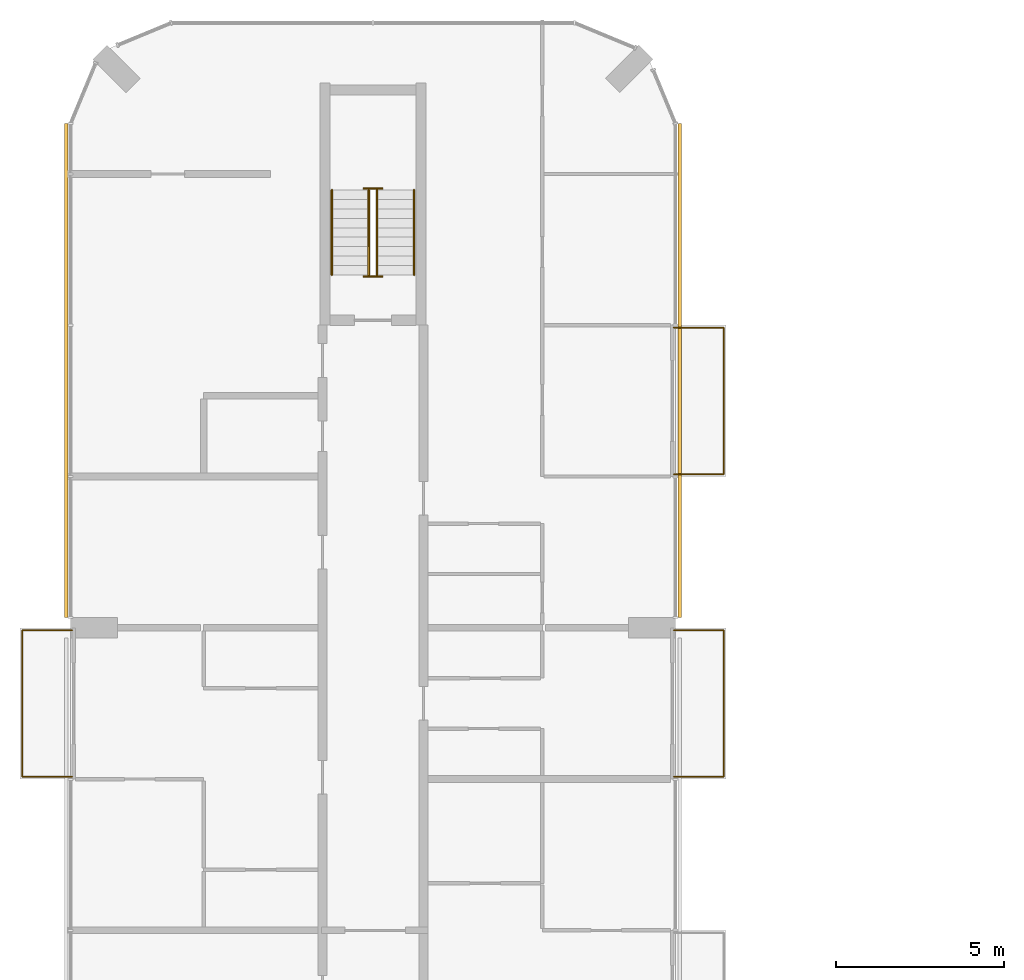
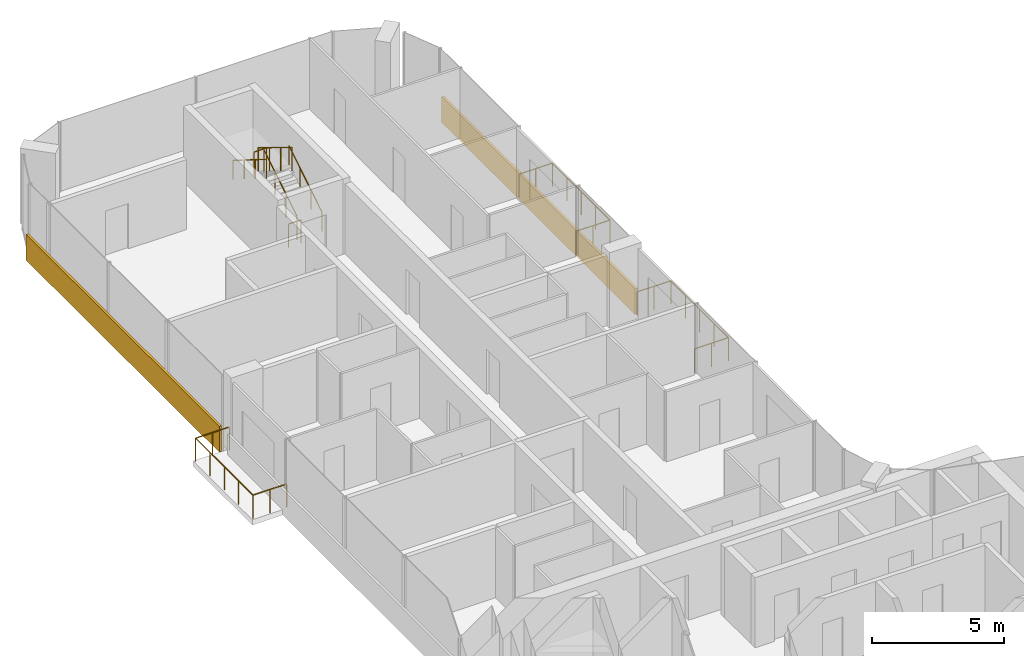
# One storey, part 15 of 15: 9 railings, 2 coverings.
"""IFC4 building model written with IfcOpenShell, lengths in metres."""

from ifc_helpers import new_model, si_unit, direction, frame, origin, origin_2d, place, context, subcontext, project, spatial, rectangle, circle, extrude, material, layer, layer_set, type_object, element, save


model = new_model("IFC4")

# Units and contexts
model_context = context("Model", 3, precision=1e-05, world=origin(), true_north=direction((0.0, 1.0)))
body_context = subcontext(model_context, "Body", "Model", "MODEL_VIEW")
ifc_project = project(units=[si_unit("LENGTHUNIT", "METRE"), si_unit("AREAUNIT", "SQUARE_METRE"), si_unit("VOLUMEUNIT", "CUBIC_METRE"), si_unit("PLANEANGLEUNIT", "RADIAN"), si_unit("MASSUNIT", "GRAM", prefix="KILO")], contexts=[model_context])

# Site, building, storey
site_placement = place(None, origin())
site = spatial("IfcSite", under=ifc_project, at=site_placement, CompositionType="ELEMENT")
building_placement = place(site_placement, origin())
building = spatial("IfcBuilding", under=site, at=building_placement, Name="Plateau Cross Towers", CompositionType="ELEMENT")
storey_placement = place(building_placement, frame((0.0, 0.0, 201.39990234375)))
storey = spatial("IfcBuildingStorey", under=building, at=storey_placement, Name="L52", CompositionType="ELEMENT", Elevation=201.39990234375)

# Railings
ifc_material_1 = material(Name="Stainless steel and toughened glass", Category="steel")
railing_type_1 = type_object("IfcRailingType", Name="Glass balustrade guard 1100", PredefinedType="GUARDRAIL", material=ifc_material_1)
railing_1_placement = place(storey_placement, frame((0.050048828125, 31.570068359375, 0.0)))
element("IfcRailing", 1, at=railing_1_placement, inside=storey, type_object=railing_type_1, Name="Guard guard1", PredefinedType="GUARDRAIL", context=body_context, shape_type="SweptSolid", body=[
    extrude(circle(Radius=0.02392578125, at=origin_2d()), frame((0.0, 0.0, 1.076171875), z_axis=(-1.0, 0.0, 0.0), x_axis=(0.0, -1.0, 0.0)), (0.0, 0.0, 1.0), 1.47998046875),
    extrude(circle(Radius=0.02392578125, at=origin_2d()), frame((-1.47998046875, 0.0, 1.076171875), z_axis=(0.0, 1.0, 0.0), x_axis=(-1.0, 0.0, 0.0)), (0.0, 0.0, 1.0), 4.35986328125),
    extrude(circle(Radius=0.02392578125, at=origin_2d()), frame((-1.47998046875, 4.35986328125, 1.076171875), z_axis=(1.0, 0.0, 0.0), x_axis=(0.0, 1.0, 0.0)), (0.0, 0.0, 1.0), 1.47998046875),
    extrude(circle(Radius=0.02099609375, at=origin_2d()), origin(), (0.0, 0.0, 1.0), 1.052001953125),
    extrude(circle(Radius=0.02099609375, at=origin_2d()), frame((-0.739990234375, 0.0, 0.0)), (0.0, 0.0, 1.0), 1.052001953125),
    extrude(circle(Radius=0.02099609375, at=origin_2d()), frame((-1.47998046875, 0.0, 0.0)), (0.0, 0.0, 1.0), 1.052001953125),
    extrude(circle(Radius=0.02099609375, at=origin_2d()), frame((-1.47998046875, 1.08984375, 0.0)), (0.0, 0.0, 1.0), 1.052001953125),
    extrude(circle(Radius=0.02099609375, at=origin_2d()), frame((-1.47998046875, 2.179931640625, 0.0)), (0.0, 0.0, 1.0), 1.052001953125),
    extrude(circle(Radius=0.02099609375, at=origin_2d()), frame((-1.47998046875, 3.27001953125, 0.0)), (0.0, 0.0, 1.0), 1.052001953125),
    extrude(circle(Radius=0.02099609375, at=origin_2d()), frame((-1.47998046875, 4.35986328125, 0.0)), (0.0, 0.0, 1.0), 1.052001953125),
    extrude(circle(Radius=0.02099609375, at=origin_2d()), frame((-0.739990234375, 4.35986328125, 0.0)), (0.0, 0.0, 1.0), 1.052001953125),
    extrude(circle(Radius=0.02099609375, at=origin_2d()), frame((0.0, 4.35986328125, 0.0)), (0.0, 0.0, 1.0), 1.052001953125),
])
for number, where, name in (
    (2, (17.949951171875, 35.929931640625, 0.0), "Guard guard1"),
    (3, (17.949951171875, 44.929931640625, 0.0), "Guard guard1"),
):
    element("IfcRailing", number, at=place(storey_placement, frame(where)), inside=storey, type_object=railing_type_1, Name=name, PredefinedType="GUARDRAIL", context=body_context, shape_type="SweptSolid", body=[
        extrude(circle(Radius=0.02392578125, at=origin_2d()), frame((0.0, 0.0, 1.076171875), z_axis=(1.0, 0.0, 0.0), x_axis=(0.0, 1.0, 0.0)), (0.0, 0.0, 1.0), 1.47998046875),
        extrude(circle(Radius=0.02392578125, at=origin_2d()), frame((1.47998046875, 0.0, 1.076171875), z_axis=(0.0, -1.0, 0.0), x_axis=(1.0, 0.0, 0.0)), (0.0, 0.0, 1.0), 4.35986328125),
        extrude(circle(Radius=0.02392578125, at=origin_2d()), frame((1.47998046875, -4.35986328125, 1.076171875), z_axis=(-1.0, 0.0, 0.0), x_axis=(0.0, -1.0, 0.0)), (0.0, 0.0, 1.0), 1.47998046875),
        extrude(circle(Radius=0.02099609375, at=origin_2d()), origin(), (0.0, 0.0, 1.0), 1.052001953125),
        extrude(circle(Radius=0.02099609375, at=origin_2d()), frame((0.739990234375, 0.0, 0.0)), (0.0, 0.0, 1.0), 1.052001953125),
        extrude(circle(Radius=0.02099609375, at=origin_2d()), frame((1.47998046875, 0.0, 0.0)), (0.0, 0.0, 1.0), 1.052001953125),
        extrude(circle(Radius=0.02099609375, at=origin_2d()), frame((1.47998046875, -1.08984375, 0.0)), (0.0, 0.0, 1.0), 1.052001953125),
        extrude(circle(Radius=0.02099609375, at=origin_2d()), frame((1.47998046875, -2.179931640625, 0.0)), (0.0, 0.0, 1.0), 1.052001953125),
        extrude(circle(Radius=0.02099609375, at=origin_2d()), frame((1.47998046875, -3.27001953125, 0.0)), (0.0, 0.0, 1.0), 1.052001953125),
        extrude(circle(Radius=0.02099609375, at=origin_2d()), frame((1.47998046875, -4.35986328125, 0.0)), (0.0, 0.0, 1.0), 1.052001953125),
        extrude(circle(Radius=0.02099609375, at=origin_2d()), frame((0.739990234375, -4.35986328125, 0.0)), (0.0, 0.0, 1.0), 1.052001953125),
        extrude(circle(Radius=0.02099609375, at=origin_2d()), frame((0.0, -4.35986328125, 0.0)), (0.0, 0.0, 1.0), 1.052001953125),
    ])
railing_type_2 = type_object("IfcRailingType", Name="RL-GUARD-1100", PredefinedType="GUARDRAIL", material=ifc_material_1)
railing_2_placement = place(storey_placement, frame((9.125, 46.5, 0.175048828125)))
element("IfcRailing", 4, at=railing_2_placement, inside=storey, type_object=railing_type_2, Name="L52 ES-N stair guard 1", PredefinedType="GUARDRAIL", context=body_context, shape_type="SweptSolid", body=[
    extrude(circle(Radius=0.02392578125, at=origin_2d()), frame((0.0, 0.0, 1.076171875), z_axis=(0.0, 0.848007534815, 0.529984170421), x_axis=(-1.0, 0.0, 0.0)), (0.0, 0.0, 1.0), 2.9716796875),
    extrude(circle(Radius=0.02099609375, at=origin_2d()), origin(), (0.0, 0.0, 1.0), 1.052001953125),
    extrude(circle(Radius=0.02099609375, at=origin_2d()), frame((0.0, 0.840087890625, 0.52490234375)), (0.0, 0.0, 1.0), 1.052001953125),
    extrude(circle(Radius=0.02099609375, at=origin_2d()), frame((0.0, 1.679931640625, 1.050048828125)), (0.0, 0.0, 1.0), 1.052001953125),
    extrude(circle(Radius=0.02099609375, at=origin_2d()), frame((0.0, 2.52001953125, 1.574951171875)), (0.0, 0.0, 1.0), 1.052001953125),
])
railing_3_placement = place(storey_placement, frame((9.27490234375, 49.070068359375, 1.75)))
element("IfcRailing", 5, at=railing_3_placement, inside=storey, type_object=railing_type_2, Name="L52 ES-N stair guard 2", PredefinedType="GUARDRAIL", context=body_context, shape_type="SweptSolid", body=[
    extrude(circle(Radius=0.02392578125, at=origin_2d()), frame((0.0, 0.0, 1.076171875), z_axis=(-1.0, 0.0, 0.0), x_axis=(0.0, -1.0, 0.0)), (0.0, 0.0, 1.0), 0.5498046875),
    extrude(circle(Radius=0.02099609375, at=origin_2d()), origin(), (0.0, 0.0, 1.0), 1.052001953125),
    extrude(circle(Radius=0.02099609375, at=origin_2d()), frame((-0.5498046875, 0.0, 0.0)), (0.0, 0.0, 1.0), 1.052001953125),
])
railing_4_placement = place(storey_placement, frame((8.875, 49.02001953125, 1.925048828125)))
element("IfcRailing", 6, at=railing_4_placement, inside=storey, type_object=railing_type_2, Name="L52 ES-N stair guard 3", PredefinedType="GUARDRAIL", context=body_context, shape_type="SweptSolid", body=[
    extrude(circle(Radius=0.02392578125, at=origin_2d()), frame((0.0, 0.0, 1.076171875), z_axis=(0.0, -0.852638500773, 0.522501279423), x_axis=(1.0, 0.0, 0.0)), (0.0, 0.0, 1.0), 3.01416015625),
    extrude(circle(Radius=0.02099609375, at=origin_2d()), origin(), (0.0, 0.0, 1.0), 1.052001953125),
    extrude(circle(Radius=0.02099609375, at=origin_2d()), frame((0.0, -0.856689453125, 0.52490234375)), (0.0, 0.0, 1.0), 1.052001953125),
    extrude(circle(Radius=0.02099609375, at=origin_2d()), frame((0.0, -1.71337890625, 1.050048828125)), (0.0, 0.0, 1.0), 1.052001953125),
    extrude(circle(Radius=0.02099609375, at=origin_2d()), frame((0.0, -2.570068359375, 1.574951171875)), (0.0, 0.0, 1.0), 1.052001953125),
])
railing_5_placement = place(storey_placement, frame((9.27490234375, 46.449951171875, 0.0)))
element("IfcRailing", 7, at=railing_5_placement, inside=storey, type_object=railing_type_2, Name="L52 ES-N stair guard 4", PredefinedType="GUARDRAIL", context=body_context, shape_type="SweptSolid", body=[
    extrude(circle(Radius=0.02392578125, at=origin_2d()), frame((0.0, 0.0, 1.076171875), z_axis=(-1.0, 0.0, 0.0), x_axis=(0.0, -1.0, 0.0)), (0.0, 0.0, 1.0), 0.5498046875),
    extrude(circle(Radius=0.02099609375, at=origin_2d()), origin(), (0.0, 0.0, 1.0), 1.052001953125),
    extrude(circle(Radius=0.02099609375, at=origin_2d()), frame((-0.5498046875, 0.0, 0.0)), (0.0, 0.0, 1.0), 1.052001953125),
])
ifc_material_2 = material(Name="Black anodised aluminium", Category="aluminium")
railing_type_3 = type_object("IfcRailingType", Name="RL-HANDRAIL-900", PredefinedType="HANDRAIL", material=ifc_material_2)
railing_6_placement = place(storey_placement, frame((10.22509765625, 46.5, 0.175048828125)))
element("IfcRailing", 8, at=railing_6_placement, inside=storey, type_object=railing_type_3, Name="L52 ES-N stair handrail 1", PredefinedType="HANDRAIL", context=body_context, shape_type="SweptSolid", body=[
    extrude(circle(Radius=0.02392578125, at=origin_2d()), frame((0.0, 0.0, 0.8759765625), z_axis=(0.0, 0.848007534815, 0.529984170421), x_axis=(-1.0, 0.0, 0.0)), (0.0, 0.0, 1.0), 2.9716796875),
    extrude(circle(Radius=0.02099609375, at=origin_2d()), origin(), (0.0, 0.0, 1.0), 0.851806640625),
    extrude(circle(Radius=0.02099609375, at=origin_2d()), frame((0.0, 0.840087890625, 0.52490234375)), (0.0, 0.0, 1.0), 0.851806640625),
    extrude(circle(Radius=0.02099609375, at=origin_2d()), frame((0.0, 1.679931640625, 1.050048828125)), (0.0, 0.0, 1.0), 0.851806640625),
    extrude(circle(Radius=0.02099609375, at=origin_2d()), frame((0.0, 2.52001953125, 1.574951171875)), (0.0, 0.0, 1.0), 0.851806640625),
])
railing_7_placement = place(storey_placement, frame((7.77490234375, 49.02001953125, 1.925048828125)))
element("IfcRailing", 9, at=railing_7_placement, inside=storey, type_object=railing_type_3, Name="L52 ES-N stair handrail 2", PredefinedType="HANDRAIL", context=body_context, shape_type="SweptSolid", body=[
    extrude(circle(Radius=0.02392578125, at=origin_2d()), frame((0.0, 0.0, 0.8759765625), z_axis=(0.0, -0.848007534815, 0.529984170421), x_axis=(1.0, 0.0, 0.0)), (0.0, 0.0, 1.0), 2.9716796875),
    extrude(circle(Radius=0.02099609375, at=origin_2d()), origin(), (0.0, 0.0, 1.0), 0.851806640625),
    extrude(circle(Radius=0.02099609375, at=origin_2d()), frame((0.0, -0.840087890625, 0.52490234375)), (0.0, 0.0, 1.0), 0.851806640625),
    extrude(circle(Radius=0.02099609375, at=origin_2d()), frame((0.0, -1.679931640625, 1.050048828125)), (0.0, 0.0, 1.0), 0.851806640625),
    extrude(circle(Radius=0.02099609375, at=origin_2d()), frame((0.0, -2.52001953125, 1.574951171875)), (0.0, 0.0, 1.0), 0.851806640625),
])

# Coverings
ifc_material_3 = material(Name="Precast concrete cladding C40/50", Category="concrete")
ifc_layer = layer(ifc_material_3, 0.10009765625)
ifc_layer_set = layer_set([ifc_layer], Name="Precast concrete cladding C40/50")
covering_type = type_object("IfcCoveringType", Name="Spandrel band cladding 100x1200", PredefinedType="CLADDING", material=ifc_layer_set)
for number, where, z_axis, x_axis, name in (
    (10, (18.1201171875, 43.64990234375, -0.25), (0.0, 0.0, 1.0), (0.0, 1.0, 0.0), "Spandrel band"),
    (11, (-0.1201171875, 43.64990234375, -0.25), (0.0, 0.0, 1.0), (0.0, -1.0, 0.0), "Spandrel band"),
):
    element("IfcCovering", number, at=place(storey_placement, frame(where, z_axis=z_axis, x_axis=x_axis)), inside=storey, type_object=covering_type, Name=name, PredefinedType="CLADDING", context=body_context, shape_type="SweptSolid", body=[
        extrude(rectangle(XDim=14.699951171875, YDim=0.10009765625, at=origin_2d()), origin(), (0.0, 0.0, 1.0), 1.199951171875),
    ])

save(model, "model.ifc")
